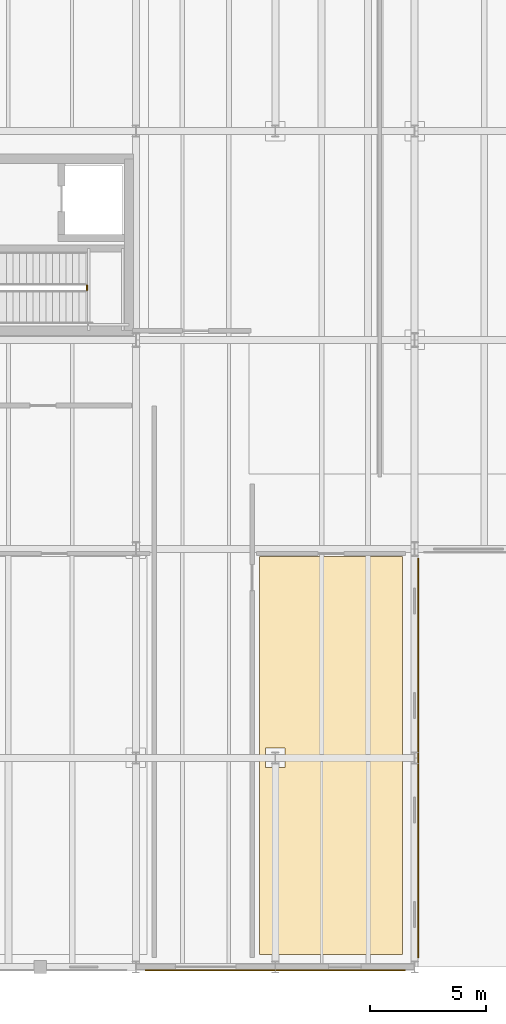
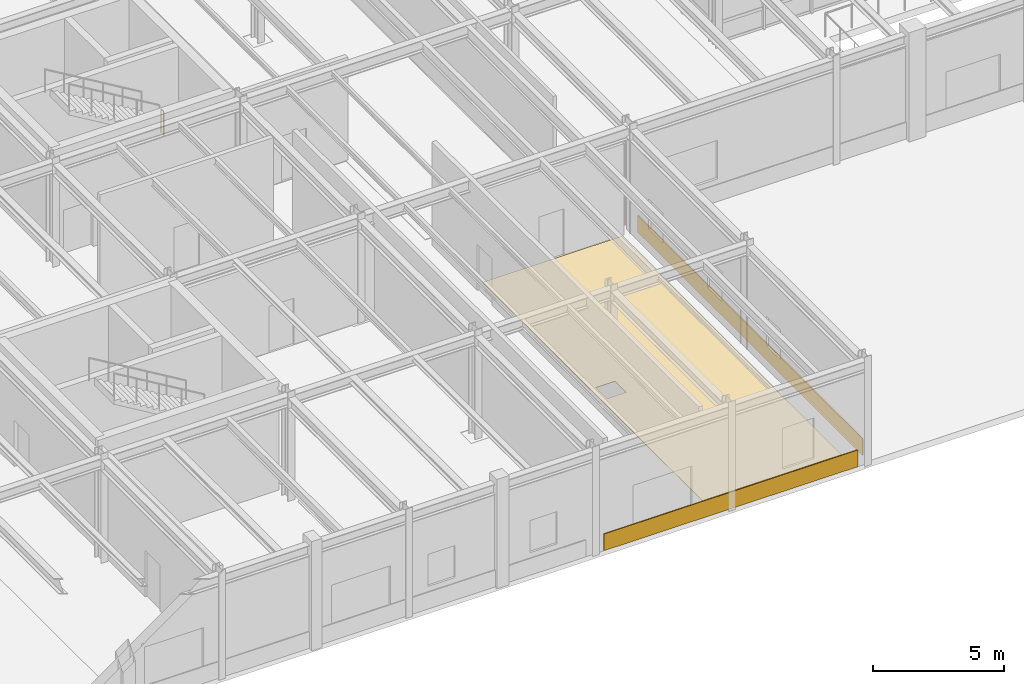
# One storey, part 54 of 64: 3 coverings, 1 railing.
"""IFC4 building model written with IfcOpenShell, lengths in metres."""

from ifc_helpers import new_model, si_unit, direction, frame, origin, origin_2d, place, context, subcontext, project, spatial, polyline, rectangle, circle, outline, extrude, material, layer, layer_set, type_object, element, save


model = new_model("IFC4")

# Units and contexts
model_context = context("Model", 3, precision=1e-05, world=origin(), true_north=direction((0.0, 1.0)))
body_context = subcontext(model_context, "Body", "Model", "MODEL_VIEW")
ifc_project = project(units=[si_unit("LENGTHUNIT", "METRE"), si_unit("AREAUNIT", "SQUARE_METRE"), si_unit("VOLUMEUNIT", "CUBIC_METRE"), si_unit("PLANEANGLEUNIT", "RADIAN"), si_unit("MASSUNIT", "GRAM", prefix="KILO")], contexts=[model_context])

# Site, building, storey
site_placement = place(None, origin())
site = spatial("IfcSite", under=ifc_project, at=site_placement, CompositionType="ELEMENT")
building_placement = place(site_placement, origin())
building = spatial("IfcBuilding", under=site, at=building_placement, Name="Montealbar Specialist Clinic", CompositionType="ELEMENT")
storey_placement = place(building_placement, origin())
storey = spatial("IfcBuildingStorey", under=building, at=storey_placement, Name="L00", CompositionType="ELEMENT", Elevation=0.0)

# Coverings
ifc_material_1 = material(Name="Terracotta architectural cladding", Category="masonry")
ifc_layer_1 = layer(ifc_material_1, 0.044921875, Name="Terracotta architectural cladding", Category="masonry")
ifc_layer_set_1 = layer_set([ifc_layer_1], Name="Terracotta architectural cladding")
covering_type_1 = type_object("IfcCoveringType", Name="COV-CLAD-TERRA", PredefinedType="CLADDING", material=ifc_layer_set_1)
covering_1_placement = place(storey_placement, frame((111.14990234375, 9.0, 0.02978515625), z_axis=(0.0, 0.0, 1.0), x_axis=(0.0, -1.0, 0.0)))
element("IfcCovering", 1, at=covering_1_placement, inside=storey, type_object=covering_type_1, Name="Facade Plinth Cladding Band L00-013", PredefinedType="CLADDING", context=body_context, shape_type="SweptSolid", body=[
    extrude(rectangle(XDim=17.199951171875, YDim=0.044921875, at=origin_2d()), origin(), (0.0, 0.0, 1.0), 0.780029296875),
])
covering_2_placement = place(storey_placement, frame((105.0, -0.139892578125, 0.02978515625), z_axis=(0.0, 0.0, 1.0), x_axis=(-1.0, 0.0, 0.0)))
element("IfcCovering", 2, at=covering_2_placement, inside=storey, type_object=covering_type_1, Name="Facade Plinth Cladding Band L00-014", PredefinedType="CLADDING", context=body_context, shape_type="SweptSolid", body=[
    extrude(rectangle(XDim=11.199951171875, YDim=0.044921875, at=origin_2d()), origin(), (0.0, 0.0, 1.0), 0.780029296875),
])
ifc_material_2 = material(Name="Antimicrobial clinical linoleum", Category="wood")
ifc_layer_2 = layer(ifc_material_2, 0.02001953125, Name="Antimicrobial clinical linoleum", Category="wood")
ifc_layer_set_2 = layer_set([ifc_layer_2], Name="Antimicrobial clinical linoleum")
covering_type_2 = type_object("IfcCoveringType", Name="COV-FLR-LINOLEUM", PredefinedType="FLOORING", material=ifc_layer_set_2)
covering_3_placement = place(storey_placement, origin())
element("IfcCovering", 3, at=covering_3_placement, inside=storey, type_object=covering_type_2, Name="Clinical Flooring Outpatient Clinical Records & Triage Suite", PredefinedType="FLOORING", context=body_context, shape_type="SweptSolid", body=[
    extrude(outline(polyline([(104.330078125, 17.669921875), (110.469970703125, 17.669921875), (110.469970703125, 0.530029296875), (104.330078125, 0.530029296875), (104.330078125, 17.669921875)]), holes=[polyline([(105.419921875, 9.419921875), (104.580078125, 9.419921875), (104.580078125, 8.580078125), (105.419921875, 8.580078125), (105.419921875, 9.419921875)])]), origin(), (0.0, 0.0, 1.0), 0.02001953125),
])

# Railing
ifc_material_3 = material(Name="Steel S355", Category="steel")
ifc_layer_3 = layer(ifc_material_3, 0.050048828125, Name="Steel S355", Category="steel")
ifc_layer_set_3 = layer_set([ifc_layer_3], Name="Steel S355")
railing_type = type_object("IfcRailingType", Name="RAIL-STAIR-BAL-1100", PredefinedType="BALUSTRADE", material=ifc_layer_set_3)
railing_placement = place(storey_placement, frame((96.889892578125, 29.14990234375, 2.550048828125)))
element("IfcRailing", 4, at=railing_placement, inside=storey, type_object=railing_type, Name="L00 ST-05 stair guard 2", PredefinedType="BALUSTRADE", context=body_context, shape_type="SweptSolid", body=[
    extrude(circle(Radius=0.02392578125, at=origin_2d()), frame((0.0, 0.0, 1.076171875), z_axis=(0.0, 1.0, 0.0), x_axis=(-1.0, 0.0, 0.0)), (0.0, 0.0, 1.0), 0.2001953125),
    extrude(circle(Radius=0.02099609375, at=origin_2d()), frame((0.0, 0.0, -0.02490234375)), (0.0, 0.0, 1.0), 1.076904296875),
    extrude(circle(Radius=0.02099609375, at=origin_2d()), frame((0.0, 0.2001953125, -0.02490234375)), (0.0, 0.0, 1.0), 1.076904296875),
])

save(model, "model.ifc")
